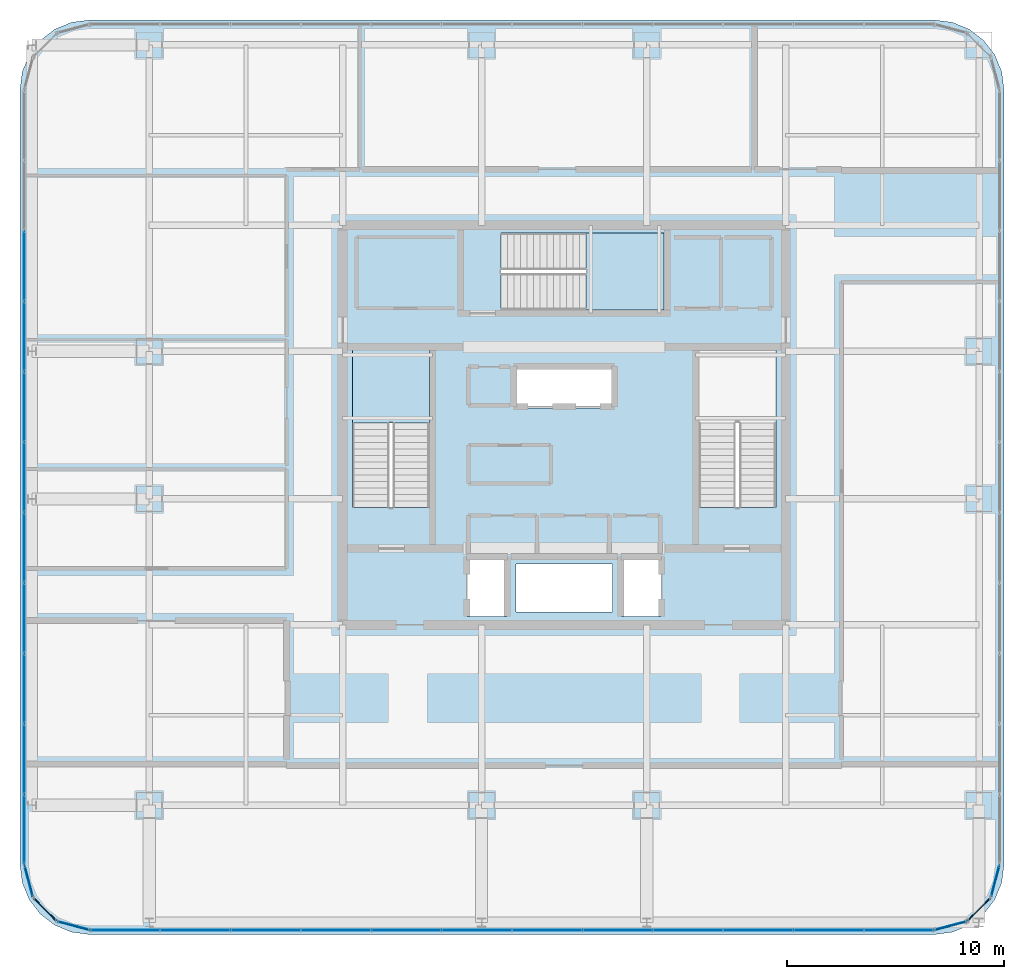
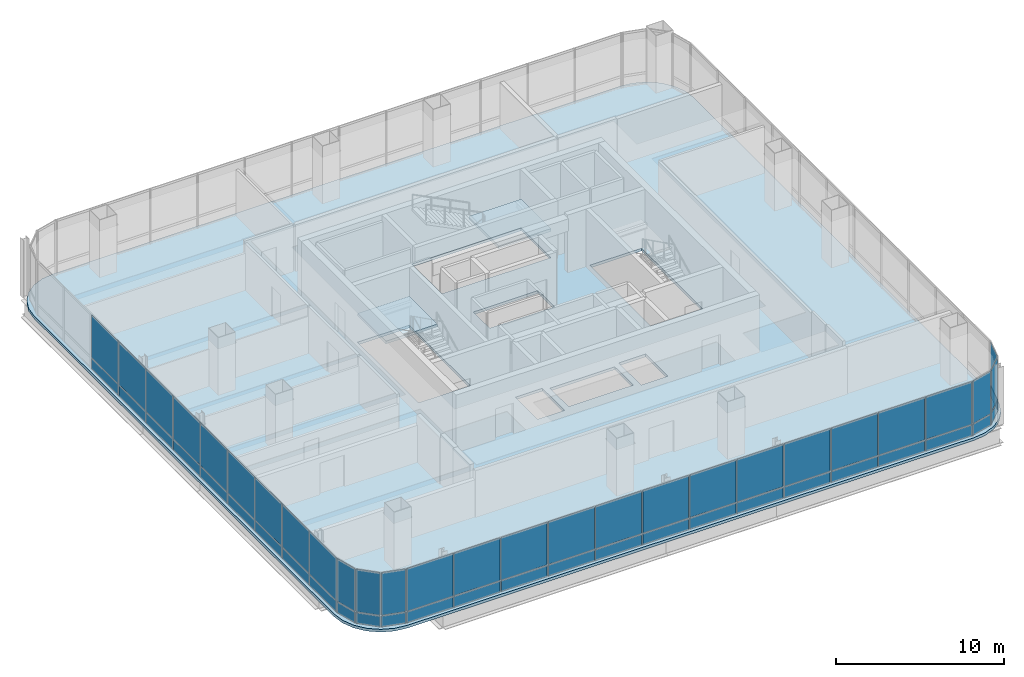
# One storey, part 33 of 42: 54 plates, 3 slabs, 10 elements without a shape of their own.
"""IFC4 building model written with IfcOpenShell, lengths in metres."""

from ifc_helpers import new_model, si_unit, direction, frame, origin, origin_2d, place, context, subcontext, project, spatial, polyline, rectangle, outline, extrude, material, layer, layer_set, type_object, element, aggregate, save


model = new_model("IFC4")

# Units and contexts
model_context = context("Model", 3, precision=1e-05, world=origin(), true_north=direction((0.0, 1.0)))
body_context = subcontext(model_context, "Body", "Model", "MODEL_VIEW")
ifc_project = project(units=[si_unit("LENGTHUNIT", "METRE"), si_unit("AREAUNIT", "SQUARE_METRE"), si_unit("VOLUMEUNIT", "CUBIC_METRE"), si_unit("PLANEANGLEUNIT", "RADIAN"), si_unit("MASSUNIT", "GRAM", prefix="KILO")], contexts=[model_context])

# Site, building, storey
site_placement = place(None, origin())
site = spatial("IfcSite", under=ifc_project, at=site_placement, CompositionType="ELEMENT")
building_placement = place(site_placement, origin())
building = spatial("IfcBuilding", under=site, at=building_placement, Name="Punatoya Terracotta Tower", CompositionType="ELEMENT")
storey_placement = place(building_placement, frame((0.0, 0.0, 325.800048828125)))
storey = spatial("IfcBuildingStorey", under=building, at=storey_placement, Name="L77", CompositionType="ELEMENT", Elevation=325.800048828125)

# Curtain wall, plates
ifc_material_1 = material(Name="Aluminium 6063-T6 + Double Low-E Glass", Category="aluminium")
curtain_wall_type = type_object("IfcCurtainWallType", Name="CW-OBS", PredefinedType="NOTDEFINED", material=ifc_material_1)
curtain_wall_1_placement = place(storey_placement, origin())
curtain_wall_1 = element("IfcCurtainWall", 1, at=curtain_wall_1_placement, inside=storey, type_object=curtain_wall_type, Name="L77 Curtain Wall CW-L77-S01-1", PredefinedType="NOTDEFINED")
ifc_material_2 = material(Name="Laminated Observation Low-Iron Glass", Category="glass")
ifc_layer_1 = layer(ifc_material_2, 0.0380859375)
ifc_layer_set_1 = layer_set([ifc_layer_1], Name="Laminated Observation Low-Iron Glass")
plate_type_1 = type_object("IfcPlateType", Name="PLT-GLZ-38", PredefinedType="CURTAIN_PANEL", material=ifc_layer_set_1)
plate_1_placement = place(storey_placement, frame((-20.21728515625, -23.25, 0.89013671875), z_axis=(0.0, 0.0, 1.0), x_axis=(1.0, 0.0, 0.0)))
plate_1 = element("IfcPlate", 2, at=plate_1_placement, type_object=plate_type_1, Name="CW-L77-S01-1 Vision Glass Panel 1", PredefinedType="CURTAIN_PANEL", context=body_context, shape_type="SweptSolid", body=[
    extrude(rectangle(XDim=3.154541015625, YDim=0.0380859375, at=origin_2d()), origin(), (0.0, 0.0, 1.0), 3.070068359375),
])
plate_2_placement = place(storey_placement, frame((-16.977783203125, -23.25, 0.89013671875), z_axis=(0.0, 0.0, 1.0), x_axis=(1.0, 0.0, 0.0)))
plate_2 = element("IfcPlate", 3, at=plate_2_placement, type_object=plate_type_1, Name="CW-L77-S01-1 Vision Glass Panel 2", PredefinedType="CURTAIN_PANEL", context=body_context, shape_type="SweptSolid", body=[
    extrude(rectangle(XDim=3.154541015625, YDim=0.0380859375, at=origin_2d()), origin(), (0.0, 0.0, 1.0), 3.070068359375),
])
plate_3_placement = place(storey_placement, frame((-13.73828125, -23.25, 0.89013671875), z_axis=(0.0, 0.0, 1.0), x_axis=(1.0, 0.0, 0.0)))
plate_3 = element("IfcPlate", 4, at=plate_3_placement, type_object=plate_type_1, Name="CW-L77-S01-1 Vision Glass Panel 3", PredefinedType="CURTAIN_PANEL", context=body_context, shape_type="SweptSolid", body=[
    extrude(rectangle(XDim=3.154541015625, YDim=0.0380859375, at=origin_2d()), origin(), (0.0, 0.0, 1.0), 3.070068359375),
])
plate_4_placement = place(storey_placement, frame((-10.498779296875, -23.25, 0.89013671875), z_axis=(0.0, 0.0, 1.0), x_axis=(1.0, 0.0, 0.0)))
plate_4 = element("IfcPlate", 5, at=plate_4_placement, type_object=plate_type_1, Name="CW-L77-S01-1 Vision Glass Panel 4", PredefinedType="CURTAIN_PANEL", context=body_context, shape_type="SweptSolid", body=[
    extrude(rectangle(XDim=3.154541015625, YDim=0.0380859375, at=origin_2d()), origin(), (0.0, 0.0, 1.0), 3.070068359375),
])
plate_5_placement = place(storey_placement, frame((-7.25927734375, -23.25, 0.89013671875), z_axis=(0.0, 0.0, 1.0), x_axis=(1.0, 0.0, 0.0)))
plate_5 = element("IfcPlate", 6, at=plate_5_placement, type_object=plate_type_1, Name="CW-L77-S01-1 Vision Glass Panel 5", PredefinedType="CURTAIN_PANEL", context=body_context, shape_type="SweptSolid", body=[
    extrude(rectangle(XDim=3.154541015625, YDim=0.0380859375, at=origin_2d()), origin(), (0.0, 0.0, 1.0), 3.070068359375),
])
plate_6_placement = place(storey_placement, frame((-4.019775390625, -23.25, 0.89013671875), z_axis=(0.0, 0.0, 1.0), x_axis=(1.0, 0.0, 0.0)))
plate_6 = element("IfcPlate", 7, at=plate_6_placement, type_object=plate_type_1, Name="CW-L77-S01-1 Vision Glass Panel 6", PredefinedType="CURTAIN_PANEL", context=body_context, shape_type="SweptSolid", body=[
    extrude(rectangle(XDim=3.154541015625, YDim=0.0380859375, at=origin_2d()), origin(), (0.0, 0.0, 1.0), 3.070068359375),
])
plate_7_placement = place(storey_placement, frame((-0.7802734375, -23.25, 0.89013671875), z_axis=(0.0, 0.0, 1.0), x_axis=(1.0, 0.0, 0.0)))
plate_7 = element("IfcPlate", 8, at=plate_7_placement, type_object=plate_type_1, Name="CW-L77-S01-1 Vision Glass Panel 7", PredefinedType="CURTAIN_PANEL", context=body_context, shape_type="SweptSolid", body=[
    extrude(rectangle(XDim=3.154541015625, YDim=0.0380859375, at=origin_2d()), origin(), (0.0, 0.0, 1.0), 3.070068359375),
])
plate_8_placement = place(storey_placement, frame((2.459228515625, -23.25, 0.89013671875), z_axis=(0.0, 0.0, 1.0), x_axis=(1.0, 0.0, 0.0)))
plate_8 = element("IfcPlate", 9, at=plate_8_placement, type_object=plate_type_1, Name="CW-L77-S01-1 Vision Glass Panel 8", PredefinedType="CURTAIN_PANEL", context=body_context, shape_type="SweptSolid", body=[
    extrude(rectangle(XDim=3.154541015625, YDim=0.0380859375, at=origin_2d()), origin(), (0.0, 0.0, 1.0), 3.070068359375),
])
plate_9_placement = place(storey_placement, frame((5.69873046875, -23.25, 0.89013671875), z_axis=(0.0, 0.0, 1.0), x_axis=(1.0, 0.0, 0.0)))
plate_9 = element("IfcPlate", 10, at=plate_9_placement, type_object=plate_type_1, Name="CW-L77-S01-1 Vision Glass Panel 9", PredefinedType="CURTAIN_PANEL", context=body_context, shape_type="SweptSolid", body=[
    extrude(rectangle(XDim=3.154541015625, YDim=0.0380859375, at=origin_2d()), origin(), (0.0, 0.0, 1.0), 3.070068359375),
])
plate_10_placement = place(storey_placement, frame((8.938232421875, -23.25, 0.89013671875), z_axis=(0.0, 0.0, 1.0), x_axis=(1.0, 0.0, 0.0)))
plate_10 = element("IfcPlate", 11, at=plate_10_placement, type_object=plate_type_1, Name="CW-L77-S01-1 Vision Glass Panel 10", PredefinedType="CURTAIN_PANEL", context=body_context, shape_type="SweptSolid", body=[
    extrude(rectangle(XDim=3.154541015625, YDim=0.0380859375, at=origin_2d()), origin(), (0.0, 0.0, 1.0), 3.070068359375),
])
plate_11_placement = place(storey_placement, frame((12.177734375, -23.25, 0.89013671875), z_axis=(0.0, 0.0, 1.0), x_axis=(1.0, 0.0, 0.0)))
plate_11 = element("IfcPlate", 12, at=plate_11_placement, type_object=plate_type_1, Name="CW-L77-S01-1 Vision Glass Panel 11", PredefinedType="CURTAIN_PANEL", context=body_context, shape_type="SweptSolid", body=[
    extrude(rectangle(XDim=3.154541015625, YDim=0.0380859375, at=origin_2d()), origin(), (0.0, 0.0, 1.0), 3.070068359375),
])
plate_12_placement = place(storey_placement, frame((15.417236328125, -23.25, 0.89013671875), z_axis=(0.0, 0.0, 1.0), x_axis=(1.0, 0.0, 0.0)))
plate_12 = element("IfcPlate", 13, at=plate_12_placement, type_object=plate_type_1, Name="CW-L77-S01-1 Vision Glass Panel 12", PredefinedType="CURTAIN_PANEL", context=body_context, shape_type="SweptSolid", body=[
    extrude(rectangle(XDim=3.154541015625, YDim=0.0380859375, at=origin_2d()), origin(), (0.0, 0.0, 1.0), 3.070068359375),
])

# Curtain wall, plate
curtain_wall_2_placement = place(storey_placement, origin())
curtain_wall_2 = element("IfcCurtainWall", 14, at=curtain_wall_2_placement, inside=storey, type_object=curtain_wall_type, Name="L77 Curtain Wall CW-L77-CRN02", PredefinedType="NOTDEFINED")
plate_13_placement = place(storey_placement, frame((17.79296875, -23.04833984375, 0.89013671875), z_axis=(0.0, 0.0, 1.0), x_axis=(0.966213877436, 0.257741620719, 0.0)))
plate_13 = element("IfcPlate", 15, at=plate_13_placement, type_object=plate_type_1, Name="CW-L77-CRN02 Vision Glass Panel 1", PredefinedType="CURTAIN_PANEL", context=body_context, shape_type="SweptSolid", body=[
    extrude(rectangle(XDim=1.47998046875, YDim=0.0380859375, at=origin_2d()), origin(), (0.0, 0.0, 1.0), 3.070068359375),
])

curtain_wall_3_placement = place(storey_placement, origin())
curtain_wall_3 = element("IfcCurtainWall", 16, at=curtain_wall_3_placement, inside=storey, type_object=curtain_wall_type, Name="L77 Curtain Wall CW-L77-CRN03", PredefinedType="NOTDEFINED")
plate_14_placement = place(storey_placement, frame((19.097900390625, -22.2978515625, 0.89013671875), z_axis=(0.0, 0.0, 1.0), x_axis=(0.707106781187, 0.707106781187, 0.0)))
plate_14 = element("IfcPlate", 17, at=plate_14_placement, type_object=plate_type_1, Name="CW-L77-CRN03 Vision Glass Panel 1", PredefinedType="CURTAIN_PANEL", context=body_context, shape_type="SweptSolid", body=[
    extrude(rectangle(XDim=1.467041015625, YDim=0.0380859375, at=origin_2d()), origin(), (0.0, 0.0, 1.0), 3.070068359375),
])

curtain_wall_4_placement = place(storey_placement, origin())
curtain_wall_4 = element("IfcCurtainWall", 18, at=curtain_wall_4_placement, inside=storey, type_object=curtain_wall_type, Name="L77 Curtain Wall CW-L77-CRN04", PredefinedType="NOTDEFINED")
plate_15_placement = place(storey_placement, frame((19.848388671875, -20.992919921875, 0.89013671875), z_axis=(0.0, 0.0, 1.0), x_axis=(0.257741620719, 0.966213877436, 0.0)))
plate_15 = element("IfcPlate", 19, at=plate_15_placement, type_object=plate_type_1, Name="CW-L77-CRN04 Vision Glass Panel 1", PredefinedType="CURTAIN_PANEL", context=body_context, shape_type="SweptSolid", body=[
    extrude(rectangle(XDim=1.47998046875, YDim=0.0380859375, at=origin_2d()), origin(), (0.0, 0.0, 1.0), 3.070068359375),
])

# Curtain wall, plates
curtain_wall_5_placement = place(storey_placement, origin())
curtain_wall_5 = element("IfcCurtainWall", 20, at=curtain_wall_5_placement, inside=storey, type_object=curtain_wall_type, Name="L77 Curtain Wall CW-L77-W13-1", PredefinedType="NOTDEFINED")
plate_16_placement = place(storey_placement, frame((-24.85009765625, 7.3291015625, 0.89013671875), z_axis=(0.0, 0.0, 1.0), x_axis=(0.0, -1.0, 0.0)))
plate_16 = element("IfcPlate", 21, at=plate_16_placement, type_object=plate_type_1, Name="CW-L77-W13-1 Vision Glass Panel 3", PredefinedType="CURTAIN_PANEL", context=body_context, shape_type="SweptSolid", body=[
    extrude(rectangle(XDim=3.158203125, YDim=0.0380859375, at=origin_2d()), origin(), (0.0, 0.0, 1.0), 3.070068359375),
])
plate_17_placement = place(storey_placement, frame((-24.85009765625, 4.086181640625, 0.89013671875), z_axis=(0.0, 0.0, 1.0), x_axis=(0.0, -1.0, 0.0)))
plate_17 = element("IfcPlate", 22, at=plate_17_placement, type_object=plate_type_1, Name="CW-L77-W13-1 Vision Glass Panel 4", PredefinedType="CURTAIN_PANEL", context=body_context, shape_type="SweptSolid", body=[
    extrude(rectangle(XDim=3.158203125, YDim=0.0380859375, at=origin_2d()), origin(), (0.0, 0.0, 1.0), 3.070068359375),
])
plate_18_placement = place(storey_placement, frame((-24.85009765625, 0.843017578125, 0.89013671875), z_axis=(0.0, 0.0, 1.0), x_axis=(0.0, -1.0, 0.0)))
plate_18 = element("IfcPlate", 23, at=plate_18_placement, type_object=plate_type_1, Name="CW-L77-W13-1 Vision Glass Panel 5", PredefinedType="CURTAIN_PANEL", context=body_context, shape_type="SweptSolid", body=[
    extrude(rectangle(XDim=3.158203125, YDim=0.0380859375, at=origin_2d()), origin(), (0.0, 0.0, 1.0), 3.070068359375),
])
plate_19_placement = place(storey_placement, frame((-24.85009765625, -2.39990234375, 0.89013671875), z_axis=(0.0, 0.0, 1.0), x_axis=(0.0, -1.0, 0.0)))
plate_19 = element("IfcPlate", 24, at=plate_19_placement, type_object=plate_type_1, Name="CW-L77-W13-1 Vision Glass Panel 6", PredefinedType="CURTAIN_PANEL", context=body_context, shape_type="SweptSolid", body=[
    extrude(rectangle(XDim=3.158203125, YDim=0.0380859375, at=origin_2d()), origin(), (0.0, 0.0, 1.0), 3.070068359375),
])
plate_20_placement = place(storey_placement, frame((-24.85009765625, -5.64306640625, 0.89013671875), z_axis=(0.0, 0.0, 1.0), x_axis=(0.0, -1.0, 0.0)))
plate_20 = element("IfcPlate", 25, at=plate_20_placement, type_object=plate_type_1, Name="CW-L77-W13-1 Vision Glass Panel 7", PredefinedType="CURTAIN_PANEL", context=body_context, shape_type="SweptSolid", body=[
    extrude(rectangle(XDim=3.158203125, YDim=0.0380859375, at=origin_2d()), origin(), (0.0, 0.0, 1.0), 3.070068359375),
])
plate_21_placement = place(storey_placement, frame((-24.85009765625, -8.885986328125, 0.89013671875), z_axis=(0.0, 0.0, 1.0), x_axis=(0.0, -1.0, 0.0)))
plate_21 = element("IfcPlate", 26, at=plate_21_placement, type_object=plate_type_1, Name="CW-L77-W13-1 Vision Glass Panel 8", PredefinedType="CURTAIN_PANEL", context=body_context, shape_type="SweptSolid", body=[
    extrude(rectangle(XDim=3.158203125, YDim=0.0380859375, at=origin_2d()), origin(), (0.0, 0.0, 1.0), 3.070068359375),
])
plate_22_placement = place(storey_placement, frame((-24.85009765625, -12.129150390625, 0.89013671875), z_axis=(0.0, 0.0, 1.0), x_axis=(0.0, -1.0, 0.0)))
plate_22 = element("IfcPlate", 27, at=plate_22_placement, type_object=plate_type_1, Name="CW-L77-W13-1 Vision Glass Panel 9", PredefinedType="CURTAIN_PANEL", context=body_context, shape_type="SweptSolid", body=[
    extrude(rectangle(XDim=3.158203125, YDim=0.0380859375, at=origin_2d()), origin(), (0.0, 0.0, 1.0), 3.070068359375),
])
plate_23_placement = place(storey_placement, frame((-24.85009765625, -15.372314453125, 0.89013671875), z_axis=(0.0, 0.0, 1.0), x_axis=(0.0, -1.0, 0.0)))
plate_23 = element("IfcPlate", 28, at=plate_23_placement, type_object=plate_type_1, Name="CW-L77-W13-1 Vision Glass Panel 10", PredefinedType="CURTAIN_PANEL", context=body_context, shape_type="SweptSolid", body=[
    extrude(rectangle(XDim=3.158203125, YDim=0.0380859375, at=origin_2d()), origin(), (0.0, 0.0, 1.0), 3.070068359375),
])
plate_24_placement = place(storey_placement, frame((-24.85009765625, -18.615478515625, 0.89013671875), z_axis=(0.0, 0.0, 1.0), x_axis=(0.0, -1.0, 0.0)))
plate_24 = element("IfcPlate", 29, at=plate_24_placement, type_object=plate_type_1, Name="CW-L77-W13-1 Vision Glass Panel 11", PredefinedType="CURTAIN_PANEL", context=body_context, shape_type="SweptSolid", body=[
    extrude(rectangle(XDim=3.158203125, YDim=0.0380859375, at=origin_2d()), origin(), (0.0, 0.0, 1.0), 3.070068359375),
])

# Curtain wall, plate
curtain_wall_6_placement = place(storey_placement, origin())
curtain_wall_6 = element("IfcCurtainWall", 30, at=curtain_wall_6_placement, inside=storey, type_object=curtain_wall_type, Name="L77 Curtain Wall CW-L77-CRN14", PredefinedType="NOTDEFINED")
plate_25_placement = place(storey_placement, frame((-24.648193359375, -20.992919921875, 0.89013671875), z_axis=(0.0, 0.0, 1.0), x_axis=(0.257741620719, -0.966213877436, 0.0)))
plate_25 = element("IfcPlate", 31, at=plate_25_placement, type_object=plate_type_1, Name="CW-L77-CRN14 Vision Glass Panel 1", PredefinedType="CURTAIN_PANEL", context=body_context, shape_type="SweptSolid", body=[
    extrude(rectangle(XDim=1.47998046875, YDim=0.0380859375, at=origin_2d()), origin(), (0.0, 0.0, 1.0), 3.070068359375),
])

curtain_wall_7_placement = place(storey_placement, origin())
curtain_wall_7 = element("IfcCurtainWall", 32, at=curtain_wall_7_placement, inside=storey, type_object=curtain_wall_type, Name="L77 Curtain Wall CW-L77-CRN15", PredefinedType="NOTDEFINED")
plate_26_placement = place(storey_placement, frame((-23.89794921875, -22.2978515625, 0.89013671875), z_axis=(0.0, 0.0, 1.0), x_axis=(0.707106781187, -0.707106781187, 0.0)))
plate_26 = element("IfcPlate", 33, at=plate_26_placement, type_object=plate_type_1, Name="CW-L77-CRN15 Vision Glass Panel 1", PredefinedType="CURTAIN_PANEL", context=body_context, shape_type="SweptSolid", body=[
    extrude(rectangle(XDim=1.467041015625, YDim=0.0380859375, at=origin_2d()), origin(), (0.0, 0.0, 1.0), 3.070068359375),
])

curtain_wall_8_placement = place(storey_placement, origin())
curtain_wall_8 = element("IfcCurtainWall", 34, at=curtain_wall_8_placement, inside=storey, type_object=curtain_wall_type, Name="L77 Curtain Wall CW-L77-CRN16", PredefinedType="NOTDEFINED")
plate_27_placement = place(storey_placement, frame((-22.593017578125, -23.04833984375, 0.89013671875), z_axis=(0.0, 0.0, 1.0), x_axis=(0.966213877436, -0.257741620719, 0.0)))
plate_27 = element("IfcPlate", 35, at=plate_27_placement, type_object=plate_type_1, Name="CW-L77-CRN16 Vision Glass Panel 1", PredefinedType="CURTAIN_PANEL", context=body_context, shape_type="SweptSolid", body=[
    extrude(rectangle(XDim=1.47998046875, YDim=0.0380859375, at=origin_2d()), origin(), (0.0, 0.0, 1.0), 3.070068359375),
])

# Plate
ifc_material_3 = material(Name="Insulated Terracotta-Backed Spandrel Panel", Category="masonry")
ifc_layer_2 = layer(ifc_material_3, 0.044921875)
ifc_layer_set_2 = layer_set([ifc_layer_2], Name="Insulated Terracotta-Backed Spandrel Panel")
plate_type_2 = type_object("IfcPlateType", Name="PLT-SPN-45", PredefinedType="CURTAIN_PANEL", material=ifc_layer_set_2)
plate_28_placement = place(storey_placement, frame((-20.21728515625, -23.25, 0.0400390625), z_axis=(0.0, 0.0, 1.0), x_axis=(1.0, 0.0, 0.0)))
plate_28 = element("IfcPlate", 36, at=plate_28_placement, type_object=plate_type_2, Name="CW-L77-S01-1 Terracotta Spandrel Panel 1", PredefinedType="CURTAIN_PANEL", context=body_context, shape_type="SweptSolid", body=[
    extrude(rectangle(XDim=3.154541015625, YDim=0.044921875, at=origin_2d()), origin(), (0.0, 0.0, 1.0), 0.77490234375),
])

plate_29_placement = place(storey_placement, frame((-16.977783203125, -23.25, 0.0400390625), z_axis=(0.0, 0.0, 1.0), x_axis=(1.0, 0.0, 0.0)))
plate_29 = element("IfcPlate", 37, at=plate_29_placement, type_object=plate_type_2, Name="CW-L77-S01-1 Terracotta Spandrel Panel 2", PredefinedType="CURTAIN_PANEL", context=body_context, shape_type="SweptSolid", body=[
    extrude(rectangle(XDim=3.154541015625, YDim=0.044921875, at=origin_2d()), origin(), (0.0, 0.0, 1.0), 0.77490234375),
])

plate_30_placement = place(storey_placement, frame((-13.73828125, -23.25, 0.0400390625), z_axis=(0.0, 0.0, 1.0), x_axis=(1.0, 0.0, 0.0)))
plate_30 = element("IfcPlate", 38, at=plate_30_placement, type_object=plate_type_2, Name="CW-L77-S01-1 Terracotta Spandrel Panel 3", PredefinedType="CURTAIN_PANEL", context=body_context, shape_type="SweptSolid", body=[
    extrude(rectangle(XDim=3.154541015625, YDim=0.044921875, at=origin_2d()), origin(), (0.0, 0.0, 1.0), 0.77490234375),
])

plate_31_placement = place(storey_placement, frame((-10.498779296875, -23.25, 0.0400390625), z_axis=(0.0, 0.0, 1.0), x_axis=(1.0, 0.0, 0.0)))
plate_31 = element("IfcPlate", 39, at=plate_31_placement, type_object=plate_type_2, Name="CW-L77-S01-1 Terracotta Spandrel Panel 4", PredefinedType="CURTAIN_PANEL", context=body_context, shape_type="SweptSolid", body=[
    extrude(rectangle(XDim=3.154541015625, YDim=0.044921875, at=origin_2d()), origin(), (0.0, 0.0, 1.0), 0.77490234375),
])

plate_32_placement = place(storey_placement, frame((-7.25927734375, -23.25, 0.0400390625), z_axis=(0.0, 0.0, 1.0), x_axis=(1.0, 0.0, 0.0)))
plate_32 = element("IfcPlate", 40, at=plate_32_placement, type_object=plate_type_2, Name="CW-L77-S01-1 Terracotta Spandrel Panel 5", PredefinedType="CURTAIN_PANEL", context=body_context, shape_type="SweptSolid", body=[
    extrude(rectangle(XDim=3.154541015625, YDim=0.044921875, at=origin_2d()), origin(), (0.0, 0.0, 1.0), 0.77490234375),
])

plate_33_placement = place(storey_placement, frame((-4.019775390625, -23.25, 0.0400390625), z_axis=(0.0, 0.0, 1.0), x_axis=(1.0, 0.0, 0.0)))
plate_33 = element("IfcPlate", 41, at=plate_33_placement, type_object=plate_type_2, Name="CW-L77-S01-1 Terracotta Spandrel Panel 6", PredefinedType="CURTAIN_PANEL", context=body_context, shape_type="SweptSolid", body=[
    extrude(rectangle(XDim=3.154541015625, YDim=0.044921875, at=origin_2d()), origin(), (0.0, 0.0, 1.0), 0.77490234375),
])

plate_34_placement = place(storey_placement, frame((-0.7802734375, -23.25, 0.0400390625), z_axis=(0.0, 0.0, 1.0), x_axis=(1.0, 0.0, 0.0)))
plate_34 = element("IfcPlate", 42, at=plate_34_placement, type_object=plate_type_2, Name="CW-L77-S01-1 Terracotta Spandrel Panel 7", PredefinedType="CURTAIN_PANEL", context=body_context, shape_type="SweptSolid", body=[
    extrude(rectangle(XDim=3.154541015625, YDim=0.044921875, at=origin_2d()), origin(), (0.0, 0.0, 1.0), 0.77490234375),
])

plate_35_placement = place(storey_placement, frame((2.459228515625, -23.25, 0.0400390625), z_axis=(0.0, 0.0, 1.0), x_axis=(1.0, 0.0, 0.0)))
plate_35 = element("IfcPlate", 43, at=plate_35_placement, type_object=plate_type_2, Name="CW-L77-S01-1 Terracotta Spandrel Panel 8", PredefinedType="CURTAIN_PANEL", context=body_context, shape_type="SweptSolid", body=[
    extrude(rectangle(XDim=3.154541015625, YDim=0.044921875, at=origin_2d()), origin(), (0.0, 0.0, 1.0), 0.77490234375),
])

plate_36_placement = place(storey_placement, frame((5.69873046875, -23.25, 0.0400390625), z_axis=(0.0, 0.0, 1.0), x_axis=(1.0, 0.0, 0.0)))
plate_36 = element("IfcPlate", 44, at=plate_36_placement, type_object=plate_type_2, Name="CW-L77-S01-1 Terracotta Spandrel Panel 9", PredefinedType="CURTAIN_PANEL", context=body_context, shape_type="SweptSolid", body=[
    extrude(rectangle(XDim=3.154541015625, YDim=0.044921875, at=origin_2d()), origin(), (0.0, 0.0, 1.0), 0.77490234375),
])

plate_37_placement = place(storey_placement, frame((8.938232421875, -23.25, 0.0400390625), z_axis=(0.0, 0.0, 1.0), x_axis=(1.0, 0.0, 0.0)))
plate_37 = element("IfcPlate", 45, at=plate_37_placement, type_object=plate_type_2, Name="CW-L77-S01-1 Terracotta Spandrel Panel 10", PredefinedType="CURTAIN_PANEL", context=body_context, shape_type="SweptSolid", body=[
    extrude(rectangle(XDim=3.154541015625, YDim=0.044921875, at=origin_2d()), origin(), (0.0, 0.0, 1.0), 0.77490234375),
])

plate_38_placement = place(storey_placement, frame((12.177734375, -23.25, 0.0400390625), z_axis=(0.0, 0.0, 1.0), x_axis=(1.0, 0.0, 0.0)))
plate_38 = element("IfcPlate", 46, at=plate_38_placement, type_object=plate_type_2, Name="CW-L77-S01-1 Terracotta Spandrel Panel 11", PredefinedType="CURTAIN_PANEL", context=body_context, shape_type="SweptSolid", body=[
    extrude(rectangle(XDim=3.154541015625, YDim=0.044921875, at=origin_2d()), origin(), (0.0, 0.0, 1.0), 0.77490234375),
])

plate_39_placement = place(storey_placement, frame((15.417236328125, -23.25, 0.0400390625), z_axis=(0.0, 0.0, 1.0), x_axis=(1.0, 0.0, 0.0)))
plate_39 = element("IfcPlate", 47, at=plate_39_placement, type_object=plate_type_2, Name="CW-L77-S01-1 Terracotta Spandrel Panel 12", PredefinedType="CURTAIN_PANEL", context=body_context, shape_type="SweptSolid", body=[
    extrude(rectangle(XDim=3.154541015625, YDim=0.044921875, at=origin_2d()), origin(), (0.0, 0.0, 1.0), 0.77490234375),
])

aggregate(curtain_wall_1, [plate_28, plate_1, plate_29, plate_2, plate_30, plate_3, plate_31, plate_4, plate_32, plate_5, plate_33, plate_6, plate_34, plate_7, plate_35, plate_8, plate_36, plate_9, plate_37, plate_10, plate_38, plate_11, plate_39, plate_12])

plate_40_placement = place(storey_placement, frame((17.79296875, -23.04833984375, 0.0400390625), z_axis=(0.0, 0.0, 1.0), x_axis=(0.966213877436, 0.257741620719, 0.0)))
plate_40 = element("IfcPlate", 48, at=plate_40_placement, type_object=plate_type_2, Name="CW-L77-CRN02 Terracotta Spandrel Panel 1", PredefinedType="CURTAIN_PANEL", context=body_context, shape_type="SweptSolid", body=[
    extrude(rectangle(XDim=1.47998046875, YDim=0.044921875, at=origin_2d()), origin(), (0.0, 0.0, 1.0), 0.77490234375),
])

aggregate(curtain_wall_2, [plate_40, plate_13])

plate_41_placement = place(storey_placement, frame((19.097900390625, -22.2978515625, 0.0400390625), z_axis=(0.0, 0.0, 1.0), x_axis=(0.707106781187, 0.707106781187, 0.0)))
plate_41 = element("IfcPlate", 49, at=plate_41_placement, type_object=plate_type_2, Name="CW-L77-CRN03 Terracotta Spandrel Panel 1", PredefinedType="CURTAIN_PANEL", context=body_context, shape_type="SweptSolid", body=[
    extrude(rectangle(XDim=1.467041015625, YDim=0.044921875, at=origin_2d()), origin(), (0.0, 0.0, 1.0), 0.77490234375),
])

aggregate(curtain_wall_3, [plate_41, plate_14])

plate_42_placement = place(storey_placement, frame((19.848388671875, -20.992919921875, 0.0400390625), z_axis=(0.0, 0.0, 1.0), x_axis=(0.257741620719, 0.966213877436, 0.0)))
plate_42 = element("IfcPlate", 50, at=plate_42_placement, type_object=plate_type_2, Name="CW-L77-CRN04 Terracotta Spandrel Panel 1", PredefinedType="CURTAIN_PANEL", context=body_context, shape_type="SweptSolid", body=[
    extrude(rectangle(XDim=1.47998046875, YDim=0.044921875, at=origin_2d()), origin(), (0.0, 0.0, 1.0), 0.77490234375),
])

aggregate(curtain_wall_4, [plate_42, plate_15])

plate_43_placement = place(storey_placement, frame((-24.85009765625, 7.3291015625, 0.0400390625), z_axis=(0.0, 0.0, 1.0), x_axis=(0.0, -1.0, 0.0)))
plate_43 = element("IfcPlate", 51, at=plate_43_placement, type_object=plate_type_2, Name="CW-L77-W13-1 Terracotta Spandrel Panel 3", PredefinedType="CURTAIN_PANEL", context=body_context, shape_type="SweptSolid", body=[
    extrude(rectangle(XDim=3.158203125, YDim=0.044921875, at=origin_2d()), origin(), (0.0, 0.0, 1.0), 0.77490234375),
])

plate_44_placement = place(storey_placement, frame((-24.85009765625, 4.086181640625, 0.0400390625), z_axis=(0.0, 0.0, 1.0), x_axis=(0.0, -1.0, 0.0)))
plate_44 = element("IfcPlate", 52, at=plate_44_placement, type_object=plate_type_2, Name="CW-L77-W13-1 Terracotta Spandrel Panel 4", PredefinedType="CURTAIN_PANEL", context=body_context, shape_type="SweptSolid", body=[
    extrude(rectangle(XDim=3.158203125, YDim=0.044921875, at=origin_2d()), origin(), (0.0, 0.0, 1.0), 0.77490234375),
])

plate_45_placement = place(storey_placement, frame((-24.85009765625, 0.843017578125, 0.0400390625), z_axis=(0.0, 0.0, 1.0), x_axis=(0.0, -1.0, 0.0)))
plate_45 = element("IfcPlate", 53, at=plate_45_placement, type_object=plate_type_2, Name="CW-L77-W13-1 Terracotta Spandrel Panel 5", PredefinedType="CURTAIN_PANEL", context=body_context, shape_type="SweptSolid", body=[
    extrude(rectangle(XDim=3.158203125, YDim=0.044921875, at=origin_2d()), origin(), (0.0, 0.0, 1.0), 0.77490234375),
])

plate_46_placement = place(storey_placement, frame((-24.85009765625, -2.39990234375, 0.0400390625), z_axis=(0.0, 0.0, 1.0), x_axis=(0.0, -1.0, 0.0)))
plate_46 = element("IfcPlate", 54, at=plate_46_placement, type_object=plate_type_2, Name="CW-L77-W13-1 Terracotta Spandrel Panel 6", PredefinedType="CURTAIN_PANEL", context=body_context, shape_type="SweptSolid", body=[
    extrude(rectangle(XDim=3.158203125, YDim=0.044921875, at=origin_2d()), origin(), (0.0, 0.0, 1.0), 0.77490234375),
])

plate_47_placement = place(storey_placement, frame((-24.85009765625, -5.64306640625, 0.0400390625), z_axis=(0.0, 0.0, 1.0), x_axis=(0.0, -1.0, 0.0)))
plate_47 = element("IfcPlate", 55, at=plate_47_placement, type_object=plate_type_2, Name="CW-L77-W13-1 Terracotta Spandrel Panel 7", PredefinedType="CURTAIN_PANEL", context=body_context, shape_type="SweptSolid", body=[
    extrude(rectangle(XDim=3.158203125, YDim=0.044921875, at=origin_2d()), origin(), (0.0, 0.0, 1.0), 0.77490234375),
])

plate_48_placement = place(storey_placement, frame((-24.85009765625, -8.885986328125, 0.0400390625), z_axis=(0.0, 0.0, 1.0), x_axis=(0.0, -1.0, 0.0)))
plate_48 = element("IfcPlate", 56, at=plate_48_placement, type_object=plate_type_2, Name="CW-L77-W13-1 Terracotta Spandrel Panel 8", PredefinedType="CURTAIN_PANEL", context=body_context, shape_type="SweptSolid", body=[
    extrude(rectangle(XDim=3.158203125, YDim=0.044921875, at=origin_2d()), origin(), (0.0, 0.0, 1.0), 0.77490234375),
])

plate_49_placement = place(storey_placement, frame((-24.85009765625, -12.129150390625, 0.0400390625), z_axis=(0.0, 0.0, 1.0), x_axis=(0.0, -1.0, 0.0)))
plate_49 = element("IfcPlate", 57, at=plate_49_placement, type_object=plate_type_2, Name="CW-L77-W13-1 Terracotta Spandrel Panel 9", PredefinedType="CURTAIN_PANEL", context=body_context, shape_type="SweptSolid", body=[
    extrude(rectangle(XDim=3.158203125, YDim=0.044921875, at=origin_2d()), origin(), (0.0, 0.0, 1.0), 0.77490234375),
])

plate_50_placement = place(storey_placement, frame((-24.85009765625, -15.372314453125, 0.0400390625), z_axis=(0.0, 0.0, 1.0), x_axis=(0.0, -1.0, 0.0)))
plate_50 = element("IfcPlate", 58, at=plate_50_placement, type_object=plate_type_2, Name="CW-L77-W13-1 Terracotta Spandrel Panel 10", PredefinedType="CURTAIN_PANEL", context=body_context, shape_type="SweptSolid", body=[
    extrude(rectangle(XDim=3.158203125, YDim=0.044921875, at=origin_2d()), origin(), (0.0, 0.0, 1.0), 0.77490234375),
])

plate_51_placement = place(storey_placement, frame((-24.85009765625, -18.615478515625, 0.0400390625), z_axis=(0.0, 0.0, 1.0), x_axis=(0.0, -1.0, 0.0)))
plate_51 = element("IfcPlate", 59, at=plate_51_placement, type_object=plate_type_2, Name="CW-L77-W13-1 Terracotta Spandrel Panel 11", PredefinedType="CURTAIN_PANEL", context=body_context, shape_type="SweptSolid", body=[
    extrude(rectangle(XDim=3.158203125, YDim=0.044921875, at=origin_2d()), origin(), (0.0, 0.0, 1.0), 0.77490234375),
])

aggregate(curtain_wall_5, [plate_43, plate_16, plate_44, plate_17, plate_45, plate_18, plate_46, plate_19, plate_47, plate_20, plate_48, plate_21, plate_49, plate_22, plate_50, plate_23, plate_51, plate_24])

plate_52_placement = place(storey_placement, frame((-24.648193359375, -20.992919921875, 0.0400390625), z_axis=(0.0, 0.0, 1.0), x_axis=(0.257741620719, -0.966213877436, 0.0)))
plate_52 = element("IfcPlate", 60, at=plate_52_placement, type_object=plate_type_2, Name="CW-L77-CRN14 Terracotta Spandrel Panel 1", PredefinedType="CURTAIN_PANEL", context=body_context, shape_type="SweptSolid", body=[
    extrude(rectangle(XDim=1.47998046875, YDim=0.044921875, at=origin_2d()), origin(), (0.0, 0.0, 1.0), 0.77490234375),
])

aggregate(curtain_wall_6, [plate_52, plate_25])

plate_53_placement = place(storey_placement, frame((-23.89794921875, -22.2978515625, 0.0400390625), z_axis=(0.0, 0.0, 1.0), x_axis=(0.707106781187, -0.707106781187, 0.0)))
plate_53 = element("IfcPlate", 61, at=plate_53_placement, type_object=plate_type_2, Name="CW-L77-CRN15 Terracotta Spandrel Panel 1", PredefinedType="CURTAIN_PANEL", context=body_context, shape_type="SweptSolid", body=[
    extrude(rectangle(XDim=1.467041015625, YDim=0.044921875, at=origin_2d()), origin(), (0.0, 0.0, 1.0), 0.77490234375),
])

aggregate(curtain_wall_7, [plate_53, plate_26])

plate_54_placement = place(storey_placement, frame((-22.593017578125, -23.04833984375, 0.0400390625), z_axis=(0.0, 0.0, 1.0), x_axis=(0.966213877436, -0.257741620719, 0.0)))
plate_54 = element("IfcPlate", 62, at=plate_54_placement, type_object=plate_type_2, Name="CW-L77-CRN16 Terracotta Spandrel Panel 1", PredefinedType="CURTAIN_PANEL", context=body_context, shape_type="SweptSolid", body=[
    extrude(rectangle(XDim=1.47998046875, YDim=0.044921875, at=origin_2d()), origin(), (0.0, 0.0, 1.0), 0.77490234375),
])

aggregate(curtain_wall_8, [plate_54, plate_27])

# Stair, slab
ifc_material_4 = material(Name="Concrete C40/50", Category="concrete")
stair_type_1 = type_object("IfcStairType", Name="STR-TER-1450", PredefinedType="HALF_TURN_STAIR", material=ifc_material_4)
stair_1_placement = place(storey_placement, origin())
stair_1 = element("IfcStair", 63, at=stair_1_placement, inside=storey, type_object=stair_type_1, Name="L77 Protected Core Exit Stair ST-3", PredefinedType="HALF_TURN_STAIR")
ifc_layer_3 = layer(ifc_material_4, 0.1650390625)
ifc_layer_set_3 = layer_set([ifc_layer_3], Name="Concrete C40/50")
slab_type_1 = type_object("IfcSlabType", Name="SLB-LND-165", PredefinedType="LANDING", material=ifc_layer_set_3)
slab_1_placement = place(storey_placement, frame((0.0, 0.0, 1.89990234375)))
slab_1 = element("IfcSlab", 64, at=slab_1_placement, type_object=slab_type_1, Name="ST-3 landing 1", PredefinedType="LANDING", context=body_context, shape_type="SweptSolid", body=[
    extrude(outline(polyline([(1.0, 5.300048828125), (4.60009765625, 5.300048828125), (4.60009765625, 8.85009765625), (1.0, 8.85009765625), (1.0, 5.300048828125)])), origin(), (0.0, 0.0, 1.0), 0.199951171875),
])
aggregate(stair_1, [slab_1])

stair_type_2 = type_object("IfcStairType", Name="STR-CORE-1550", PredefinedType="HALF_TURN_STAIR", material=ifc_material_4)
stair_2_placement = place(storey_placement, origin())
stair_2 = element("IfcStair", 65, at=stair_2_placement, inside=storey, type_object=stair_type_2, Name="L77 Protected Core Exit Stair ST-1", PredefinedType="HALF_TURN_STAIR")
ifc_layer_4 = layer(ifc_material_4, 0.179931640625)
ifc_layer_set_4 = layer_set([ifc_layer_4], Name="Concrete C40/50")
slab_type_2 = type_object("IfcSlabType", Name="SLB-LND-180", PredefinedType="LANDING", material=ifc_layer_set_4)
slab_2_placement = place(storey_placement, frame((0.0, 0.0, 1.89990234375)))
slab_2 = element("IfcSlab", 66, at=slab_2_placement, type_object=slab_type_2, Name="ST-1 landing 1", PredefinedType="LANDING", context=body_context, shape_type="SweptSolid", body=[
    extrude(outline(polyline([(-6.199951171875, 0.10009765625), (-6.199951171875, 3.449951171875), (-9.75, 3.449951171875), (-9.75, 0.10009765625), (-6.199951171875, 0.10009765625)])), origin(), (0.0, 0.0, 1.0), 0.199951171875),
])
aggregate(stair_2, [slab_2])

# Slab
ifc_layer_5 = layer(ifc_material_4, 0.199951171875)
ifc_layer_set_5 = layer_set([ifc_layer_5], Name="Concrete C40/50")
slab_type_3 = type_object("IfcSlabType", Name="SLB-OFF-200", PredefinedType="FLOOR", material=ifc_layer_set_5)
slab_3_placement = place(storey_placement, frame((0.0, 0.0, -0.199951171875)))
element("IfcSlab", 67, at=slab_3_placement, inside=storey, type_object=slab_type_3, Name="L77 Structural Floor Slab", PredefinedType="FLOOR", context=body_context, shape_type="SweptSolid", body=[
    extrude(outline(polyline([(-21.85009765625, -23.449951171875), (-22.67822265625, -23.341064453125), (-23.449951171875, -23.021240234375), (-24.11279296875, -22.5126953125), (-24.621337890625, -21.85009765625), (-24.94091796875, -21.078125), (-25.050048828125, -20.25), (-25.050048828125, 15.449951171875), (-24.94091796875, 16.2783203125), (-24.621337890625, 17.050048828125), (-24.11279296875, 17.712646484375), (-23.449951171875, 18.22119140625), (-22.67822265625, 18.541015625), (-21.85009765625, 18.64990234375), (17.050048828125, 18.64990234375), (17.878173828125, 18.541015625), (18.64990234375, 18.22119140625), (19.312744140625, 17.712646484375), (19.8212890625, 17.050048828125), (20.14111328125, 16.2783203125), (20.25, 15.449951171875), (20.25, -20.25), (20.14111328125, -21.078125), (19.8212890625, -21.85009765625), (19.312744140625, -22.5126953125), (18.64990234375, -23.021240234375), (17.878173828125, -23.341064453125), (17.050048828125, -23.449951171875), (-21.85009765625, -23.449951171875)]), holes=[polyline([(-2.6298828125, -6.179931640625), (-4.469970703125, -6.179931640625), (-4.469970703125, -8.820068359375), (-2.6298828125, -8.820068359375), (-2.6298828125, -6.179931640625)]), polyline([(-0.02001953125, -6.405029296875), (-2.219970703125, -6.405029296875), (-2.219970703125, -8.594970703125), (-0.02001953125, -8.594970703125), (0.02001953125, -8.594970703125), (2.219970703125, -8.594970703125), (2.219970703125, -6.405029296875), (0.02001953125, -6.405029296875), (-0.02001953125, -6.405029296875)]), polyline([(4.469970703125, -6.179931640625), (2.6298828125, -6.179931640625), (2.6298828125, -8.820068359375), (4.469970703125, -8.820068359375), (4.469970703125, -6.179931640625)]), polyline([(-9.75, 3.449951171875), (-9.75, -3.79931640625), (-6.199951171875, -3.79931640625), (-6.199951171875, 3.449951171875), (-9.75, 3.449951171875)]), polyline([(6.199951171875, 3.449951171875), (6.199951171875, -3.79931640625), (9.75, -3.79931640625), (9.75, 3.449951171875), (6.199951171875, 3.449951171875)]), polyline([(-2.219970703125, 2.719970703125), (-2.219970703125, 0.780029296875), (-0.02001953125, 0.780029296875), (0.02001953125, 0.780029296875), (2.219970703125, 0.780029296875), (2.219970703125, 2.719970703125), (0.02001953125, 2.719970703125), (-0.02001953125, 2.719970703125), (-2.219970703125, 2.719970703125)]), polyline([(4.60009765625, 5.300048828125), (4.60009765625, 8.85009765625), (-2.899169921875, 8.85009765625), (-2.899169921875, 5.300048828125), (4.60009765625, 5.300048828125)])]), origin(), (0.0, 0.0, 1.0), 0.199951171875),
])

save(model, "model.ifc")
